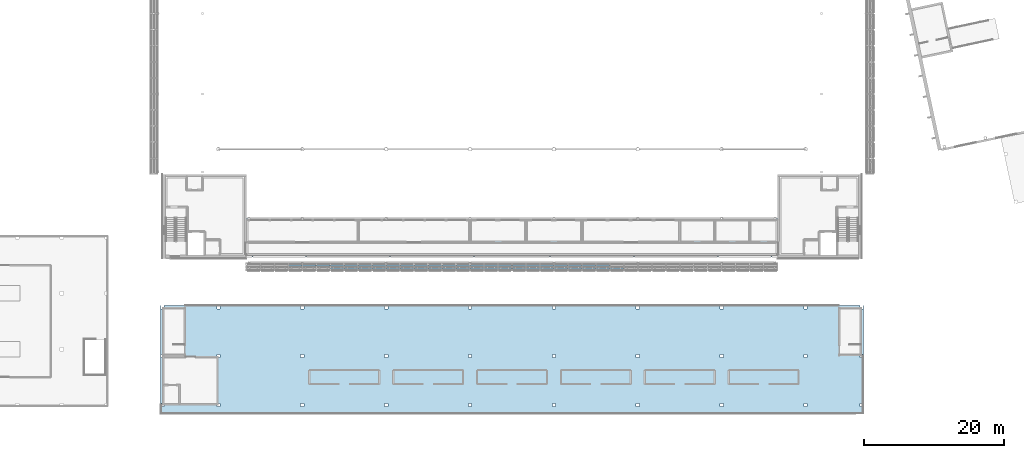
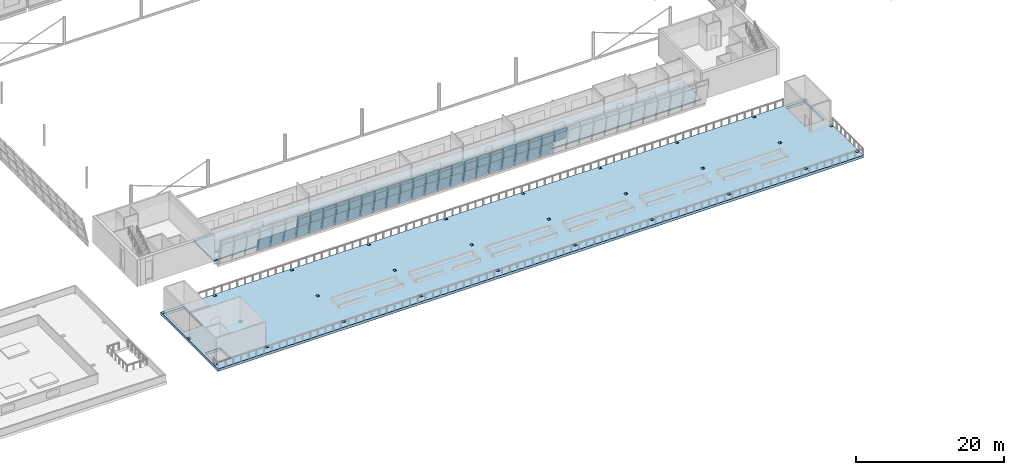
# One storey, part 38 of 95: 44 plates, 2 slabs, 2 elements without a shape of their own.
"""IFC4 building model written with IfcOpenShell, lengths in metres."""

from ifc_helpers import new_model, si_unit, direction, frame, origin, place, context, subcontext, project, spatial, polyline, outline, extrude, material, layer, layer_set, type_object, element, aggregate, save


model = new_model("IFC4")

# Units and contexts
model_context = context("Model", 3, precision=1e-05, world=origin(), true_north=direction((0.0, 1.0)))
body_context = subcontext(model_context, "Body", "Model", "MODEL_VIEW")
ifc_project = project(units=[si_unit("LENGTHUNIT", "METRE"), si_unit("AREAUNIT", "SQUARE_METRE"), si_unit("VOLUMEUNIT", "CUBIC_METRE"), si_unit("PLANEANGLEUNIT", "RADIAN"), si_unit("MASSUNIT", "GRAM", prefix="KILO")], contexts=[model_context])

# Site, building, storey
site_placement = place(None, origin())
site = spatial("IfcSite", under=ifc_project, at=site_placement, CompositionType="ELEMENT")
building_placement = place(site_placement, origin())
building = spatial("IfcBuilding", under=site, at=building_placement, Name="Windward Yard Aquatics Centre", CompositionType="ELEMENT")
storey_placement = place(building_placement, frame((0.0, 0.0, 9.39990234375)))
storey = spatial("IfcBuildingStorey", under=building, at=storey_placement, Name="L02", CompositionType="ELEMENT", Elevation=9.39990234375)

# Slabs
ifc_material_1 = material(Name="Bituminous waterproofing membrane with root barrier")
ifc_layer_1 = layer(ifc_material_1, 0.005, Name="Waterproofing")
ifc_material_2 = material(Name="Mineral wool insulation")
ifc_layer_2 = layer(ifc_material_2, 0.08, Name="Insulation")
ifc_material_3 = material(Name="Cement screed laid to falls")
ifc_layer_3 = layer(ifc_material_3, 0.04, Name="Falls")
ifc_material_4 = material(Name="Concrete C35/45", Category="concrete")
ifc_layer_4 = layer(ifc_material_4, 0.295, Name="Structure")
ifc_layer_set_1 = layer_set([ifc_layer_1, ifc_layer_2, ifc_layer_3, ifc_layer_4], Name="C roof slab 420")
slab_type_1 = type_object("IfcSlabType", Name="C roof slab 420", PredefinedType="ROOF", material=ifc_layer_set_1)
slab_1_placement = place(storey_placement, frame((0.0, 0.0, -0.419921875)))
element("IfcSlab", 1, at=slab_1_placement, inside=storey, type_object=slab_type_1, Name="C.S.L02", PredefinedType="ROOF", context=body_context, shape_type="SweptSolid", body=[
    extrude(outline(polyline([(51.72509765625, 3.800048828125), (152.27490234375, 3.800048828125), (152.27490234375, 19.27490234375), (51.72509765625, 19.27490234375), (51.72509765625, 3.800048828125)]), holes=[polyline([(51.77490234375, 4.77490234375), (51.77490234375, 5.22509765625), (52.14990234375, 5.22509765625), (52.14990234375, 7.949951171875), (54.550048828125, 7.949951171875), (54.550048828125, 5.14990234375), (52.22509765625, 5.14990234375), (52.22509765625, 4.77490234375), (51.77490234375, 4.77490234375)]), polyline([(95.77490234375, 4.77490234375), (95.77490234375, 5.22509765625), (96.22509765625, 5.22509765625), (96.22509765625, 4.77490234375), (95.77490234375, 4.77490234375)]), polyline([(59.77490234375, 4.77490234375), (59.77490234375, 5.22509765625), (60.22509765625, 5.22509765625), (60.22509765625, 4.77490234375), (59.77490234375, 4.77490234375)]), polyline([(71.77490234375, 4.77490234375), (71.77490234375, 5.22509765625), (72.22509765625, 5.22509765625), (72.22509765625, 4.77490234375), (71.77490234375, 4.77490234375)]), polyline([(83.77490234375, 4.77490234375), (83.77490234375, 5.22509765625), (84.22509765625, 5.22509765625), (84.22509765625, 4.77490234375), (83.77490234375, 4.77490234375)]), polyline([(95.77490234375, 11.77490234375), (95.77490234375, 12.22509765625), (96.22509765625, 12.22509765625), (96.22509765625, 11.77490234375), (95.77490234375, 11.77490234375)]), polyline([(59.77490234375, 11.77490234375), (59.77490234375, 12.22509765625), (60.22509765625, 12.22509765625), (60.22509765625, 11.77490234375), (59.77490234375, 11.77490234375)]), polyline([(51.77490234375, 11.77490234375), (51.77490234375, 12.22509765625), (52.22509765625, 12.22509765625), (52.22509765625, 11.77490234375), (51.77490234375, 11.77490234375)]), polyline([(71.77490234375, 11.77490234375), (71.77490234375, 12.22509765625), (72.22509765625, 12.22509765625), (72.22509765625, 11.77490234375), (71.77490234375, 11.77490234375)]), polyline([(83.77490234375, 11.77490234375), (83.77490234375, 12.22509765625), (84.22509765625, 12.22509765625), (84.22509765625, 11.77490234375), (83.77490234375, 11.77490234375)]), polyline([(51.77490234375, 18.77490234375), (51.77490234375, 19.22509765625), (52.22509765625, 19.22509765625), (52.22509765625, 18.800048828125), (55.10009765625, 18.800048828125), (55.10009765625, 13.7099609375), (52.14990234375, 13.7099609375), (52.14990234375, 18.77490234375), (51.77490234375, 18.77490234375)]), polyline([(71.77490234375, 18.77490234375), (71.77490234375, 19.22509765625), (72.22509765625, 19.22509765625), (72.22509765625, 18.77490234375), (71.77490234375, 18.77490234375)]), polyline([(95.77490234375, 18.77490234375), (95.77490234375, 19.22509765625), (96.22509765625, 19.22509765625), (96.22509765625, 18.77490234375), (95.77490234375, 18.77490234375)]), polyline([(83.77490234375, 18.77490234375), (83.77490234375, 19.22509765625), (84.22509765625, 19.22509765625), (84.22509765625, 18.77490234375), (83.77490234375, 18.77490234375)]), polyline([(59.77490234375, 18.77490234375), (59.77490234375, 19.22509765625), (60.22509765625, 19.22509765625), (60.22509765625, 18.77490234375), (59.77490234375, 18.77490234375)]), polyline([(107.77490234375, 4.77490234375), (107.77490234375, 5.22509765625), (108.22509765625, 5.22509765625), (108.22509765625, 4.77490234375), (107.77490234375, 4.77490234375)]), polyline([(119.77490234375, 4.77490234375), (119.77490234375, 5.22509765625), (120.22509765625, 5.22509765625), (120.22509765625, 4.77490234375), (119.77490234375, 4.77490234375)]), polyline([(131.77490234375, 4.77490234375), (131.77490234375, 5.22509765625), (132.22509765625, 5.22509765625), (132.22509765625, 4.77490234375), (131.77490234375, 4.77490234375)]), polyline([(143.77490234375, 4.77490234375), (143.77490234375, 5.22509765625), (144.22509765625, 5.22509765625), (144.22509765625, 4.77490234375), (143.77490234375, 4.77490234375)]), polyline([(151.77490234375, 4.77490234375), (151.77490234375, 5.22509765625), (152.22509765625, 5.22509765625), (152.22509765625, 4.77490234375), (151.77490234375, 4.77490234375)]), polyline([(107.77490234375, 11.77490234375), (107.77490234375, 12.22509765625), (108.22509765625, 12.22509765625), (108.22509765625, 11.77490234375), (107.77490234375, 11.77490234375)]), polyline([(119.77490234375, 11.77490234375), (119.77490234375, 12.22509765625), (120.22509765625, 12.22509765625), (120.22509765625, 11.77490234375), (119.77490234375, 11.77490234375)]), polyline([(131.77490234375, 11.77490234375), (131.77490234375, 12.22509765625), (132.22509765625, 12.22509765625), (132.22509765625, 11.77490234375), (131.77490234375, 11.77490234375)]), polyline([(143.77490234375, 11.77490234375), (143.77490234375, 12.22509765625), (144.22509765625, 12.22509765625), (144.22509765625, 11.77490234375), (143.77490234375, 11.77490234375)]), polyline([(151.77490234375, 11.77490234375), (151.77490234375, 12.22509765625), (152.22509765625, 12.22509765625), (152.22509765625, 11.77490234375), (151.77490234375, 11.77490234375)]), polyline([(148.89990234375, 13.7099609375), (148.89990234375, 18.800048828125), (151.77490234375, 18.800048828125), (151.77490234375, 19.22509765625), (152.22509765625, 19.22509765625), (152.22509765625, 18.77490234375), (151.85009765625, 18.77490234375), (151.85009765625, 13.7099609375), (148.89990234375, 13.7099609375)]), polyline([(107.77490234375, 18.77490234375), (107.77490234375, 19.22509765625), (108.22509765625, 19.22509765625), (108.22509765625, 18.77490234375), (107.77490234375, 18.77490234375)]), polyline([(119.77490234375, 18.77490234375), (119.77490234375, 19.22509765625), (120.22509765625, 19.22509765625), (120.22509765625, 18.77490234375), (119.77490234375, 18.77490234375)]), polyline([(131.77490234375, 18.77490234375), (131.77490234375, 19.22509765625), (132.22509765625, 19.22509765625), (132.22509765625, 18.77490234375), (131.77490234375, 18.77490234375)]), polyline([(143.77490234375, 18.77490234375), (143.77490234375, 19.22509765625), (144.22509765625, 19.22509765625), (144.22509765625, 18.77490234375), (143.77490234375, 18.77490234375)])]), origin(), (0.0, 0.0, 1.0), 0.419921875),
])
ifc_layer_5 = layer(ifc_material_4, 0.199951171875)
ifc_layer_set_2 = layer_set([ifc_layer_5], Name="H gallery slab 200 C35/45")
slab_type_2 = type_object("IfcSlabType", Name="H gallery slab 200 C35/45", PredefinedType="FLOOR", material=ifc_layer_set_2)
slab_2_placement = place(storey_placement, frame((0.0, 0.0, -0.199951171875)))
element("IfcSlab", 2, at=slab_2_placement, inside=storey, type_object=slab_type_2, Name="H.GA.S.1", PredefinedType="FLOOR", context=body_context, shape_type="SweptSolid", body=[
    extrude(outline(polyline([(64.0, 26.199951171875), (64.0, 31.709716796875), (64.222900390625, 31.709716796875), (64.222900390625, 31.58251953125), (64.47705078125, 31.58251953125), (64.47705078125, 31.709716796875), (71.873046875, 31.709716796875), (71.873046875, 31.58251953125), (72.126953125, 31.58251953125), (72.126953125, 31.709716796875), (83.873046875, 31.709716796875), (83.873046875, 31.58251953125), (84.126953125, 31.58251953125), (84.126953125, 31.709716796875), (95.873046875, 31.709716796875), (95.873046875, 31.58251953125), (96.126953125, 31.58251953125), (96.126953125, 31.709716796875), (107.873046875, 31.709716796875), (107.873046875, 31.58251953125), (108.126953125, 31.58251953125), (108.126953125, 31.709716796875), (119.873046875, 31.709716796875), (119.873046875, 31.58251953125), (120.126953125, 31.58251953125), (120.126953125, 31.709716796875), (131.873046875, 31.709716796875), (131.873046875, 31.58251953125), (132.126953125, 31.58251953125), (132.126953125, 31.709716796875), (139.52294921875, 31.709716796875), (139.52294921875, 31.58251953125), (139.777099609375, 31.58251953125), (139.777099609375, 31.709716796875), (140.0, 31.709716796875), (140.0, 26.199951171875), (64.0, 26.199951171875)])), origin(), (0.0, 0.0, 1.0), 0.199951171875),
])

# Curtain wall, plates
ifc_material_5 = material(Name="Glass and aluminium curtain wall", Category="aluminium")
ifc_layer_6 = layer(ifc_material_5, 0.179931640625)
ifc_layer_set_3 = layer_set([ifc_layer_6], Name="H curtain wall tier 1 double glazed 8+16+8")
curtain_wall_type = type_object("IfcCurtainWallType", Name="H curtain wall tier 1 double glazed 8+16+8", PredefinedType="NOTDEFINED", material=ifc_layer_set_3)
curtain_wall_1_placement = place(storey_placement, origin())
curtain_wall_1 = element("IfcCurtainWall", 3, at=curtain_wall_1_placement, inside=storey, type_object=curtain_wall_type, Name="Tier 1 glazing S L02", PredefinedType="NOTDEFINED")
ifc_material_6 = material(Name="Low-iron glass", Category="glass")
ifc_layer_7 = layer(ifc_material_6, 0.008, Name="Outer pane")
ifc_material_7 = material(Name="Argon-filled cavity")
ifc_layer_8 = layer(ifc_material_7, 0.016, Name="Cavity")
ifc_layer_9 = layer(ifc_material_6, 0.008, Name="Inner pane")
ifc_layer_set_4 = layer_set([ifc_layer_7, ifc_layer_8, ifc_layer_9], Name="H tier 1 glass low-e double glazed unit 32")
plate_type = type_object("IfcPlateType", Name="H tier 1 glass low-e double glazed unit 32", PredefinedType="CURTAIN_PANEL", material=ifc_layer_set_4)
plate_1_placement = place(storey_placement, frame((70.03173828125, 24.7900390625, 2.079345703125), z_axis=(0.0, 0.979933459069, 0.199324900092), x_axis=(0.0, 0.199324900092, -0.979933459069)))
plate_1 = element("IfcPlate", 4, at=plate_1_placement, type_object=plate_type, Name="G1SA panel 4.1", PredefinedType="CURTAIN_PANEL", context=body_context, shape_type="SweptSolid", body=[
    extrude(outline(polyline([(0.0, 0.0), (2.018532, 0.0), (2.018532, -1.934814), (0.0, -1.934814), (0.0, 0.0)])), origin(), (0.0, 0.0, -1.0), 0.031982421875),
])
plate_2_placement = place(storey_placement, frame((72.031494140625, 24.7900390625, 2.079345703125), z_axis=(0.0, 0.979933459069, 0.199324900092), x_axis=(0.0, 0.199324900092, -0.979933459069)))
plate_2 = element("IfcPlate", 5, at=plate_2_placement, type_object=plate_type, Name="G1SA panel 5.1", PredefinedType="CURTAIN_PANEL", context=body_context, shape_type="SweptSolid", body=[
    extrude(outline(polyline([(0.0, 0.0), (2.018532, 0.0), (2.018532, -1.93457), (0.0, -1.93457), (0.0, 0.0)])), origin(), (0.0, 0.0, -1.0), 0.031982421875),
])
plate_3_placement = place(storey_placement, frame((74.03125, 24.7900390625, 2.079345703125), z_axis=(0.0, 0.979933459069, 0.199324900092), x_axis=(0.0, 0.199324900092, -0.979933459069)))
plate_3 = element("IfcPlate", 6, at=plate_3_placement, type_object=plate_type, Name="G1SA panel 6.1", PredefinedType="CURTAIN_PANEL", context=body_context, shape_type="SweptSolid", body=[
    extrude(outline(polyline([(0.0, 0.0), (2.018532, 0.0), (2.018532, -1.93457), (0.0, -1.93457), (0.0, 0.0)])), origin(), (0.0, 0.0, -1.0), 0.031982421875),
])
plate_4_placement = place(storey_placement, frame((76.031005859375, 24.7900390625, 2.079345703125), z_axis=(0.0, 0.979933459069, 0.199324900092), x_axis=(0.0, 0.199324900092, -0.979933459069)))
plate_4 = element("IfcPlate", 7, at=plate_4_placement, type_object=plate_type, Name="G1SA panel 7.1", PredefinedType="CURTAIN_PANEL", context=body_context, shape_type="SweptSolid", body=[
    extrude(outline(polyline([(0.0, 0.0), (2.018532, 0.0), (2.018532, -1.93457), (0.0, -1.93457), (0.0, 0.0)])), origin(), (0.0, 0.0, -1.0), 0.031982421875),
])
plate_5_placement = place(storey_placement, frame((76.031005859375, 24.368896484375, 4.14892578125), z_axis=(0.0, 0.979926619255, 0.199358523457), x_axis=(0.0, 0.199358523457, -0.979926619255)))
plate_5 = element("IfcPlate", 8, at=plate_5_placement, type_object=plate_type, Name="G1SA panel 7.2", PredefinedType="CURTAIN_PANEL", context=body_context, shape_type="SweptSolid", body=[
    extrude(outline(polyline([(0.0, 0.0), (2.012069, 0.0), (2.012069, -1.93457), (0.0, -1.93457), (0.0, 0.0)])), origin(), (0.0, 0.0, -1.0), 0.031982421875),
])
plate_6_placement = place(storey_placement, frame((78.03076171875, 24.7900390625, 2.079345703125), z_axis=(0.0, 0.979933459069, 0.199324900092), x_axis=(0.0, 0.199324900092, -0.979933459069)))
plate_6 = element("IfcPlate", 9, at=plate_6_placement, type_object=plate_type, Name="G1SA panel 8.1", PredefinedType="CURTAIN_PANEL", context=body_context, shape_type="SweptSolid", body=[
    extrude(outline(polyline([(0.0, 0.0), (2.018532, 0.0), (2.018532, -1.93457), (0.0, -1.93457), (0.0, 0.0)])), origin(), (0.0, 0.0, -1.0), 0.031982421875),
])
plate_7_placement = place(storey_placement, frame((78.03076171875, 24.368896484375, 4.14892578125), z_axis=(0.0, 0.979926619255, 0.199358523457), x_axis=(0.0, 0.199358523457, -0.979926619255)))
plate_7 = element("IfcPlate", 10, at=plate_7_placement, type_object=plate_type, Name="G1SA panel 8.2", PredefinedType="CURTAIN_PANEL", context=body_context, shape_type="SweptSolid", body=[
    extrude(outline(polyline([(0.0, 0.0), (2.012069, 0.0), (2.012069, -1.93457), (0.0, -1.93457), (0.0, 0.0)])), origin(), (0.0, 0.0, -1.0), 0.031982421875),
])
plate_8_placement = place(storey_placement, frame((80.0302734375, 24.7900390625, 2.079345703125), z_axis=(0.0, 0.979933459069, 0.199324900092), x_axis=(0.0, 0.199324900092, -0.979933459069)))
plate_8 = element("IfcPlate", 11, at=plate_8_placement, type_object=plate_type, Name="G1SA panel 9.1", PredefinedType="CURTAIN_PANEL", context=body_context, shape_type="SweptSolid", body=[
    extrude(outline(polyline([(0.0, 0.0), (2.018532, 0.0), (2.018532, -1.934814), (0.0, -1.934814), (0.0, 0.0)])), origin(), (0.0, 0.0, -1.0), 0.031982421875),
])
plate_9_placement = place(storey_placement, frame((80.0302734375, 24.368896484375, 4.14892578125), z_axis=(0.0, 0.979926619255, 0.199358523457), x_axis=(0.0, 0.199358523457, -0.979926619255)))
plate_9 = element("IfcPlate", 12, at=plate_9_placement, type_object=plate_type, Name="G1SA panel 9.2", PredefinedType="CURTAIN_PANEL", context=body_context, shape_type="SweptSolid", body=[
    extrude(outline(polyline([(0.0, 0.0), (2.012069, 0.0), (2.012069, -1.934814), (0.0, -1.934814), (0.0, 0.0)])), origin(), (0.0, 0.0, -1.0), 0.031982421875),
])
plate_10_placement = place(storey_placement, frame((82.030029296875, 24.7900390625, 2.079345703125), z_axis=(0.0, 0.979933459069, 0.199324900092), x_axis=(0.0, 0.199324900092, -0.979933459069)))
plate_10 = element("IfcPlate", 13, at=plate_10_placement, type_object=plate_type, Name="G1SA panel 10.1", PredefinedType="CURTAIN_PANEL", context=body_context, shape_type="SweptSolid", body=[
    extrude(outline(polyline([(0.0, 0.0), (2.018532, 0.0), (2.018532, -1.934814), (0.0, -1.934814), (0.0, 0.0)])), origin(), (0.0, 0.0, -1.0), 0.031982421875),
])
plate_11_placement = place(storey_placement, frame((82.030029296875, 24.368896484375, 4.14892578125), z_axis=(0.0, 0.979926619255, 0.199358523457), x_axis=(0.0, 0.199358523457, -0.979926619255)))
plate_11 = element("IfcPlate", 14, at=plate_11_placement, type_object=plate_type, Name="G1SA panel 10.2", PredefinedType="CURTAIN_PANEL", context=body_context, shape_type="SweptSolid", body=[
    extrude(outline(polyline([(0.0, 0.0), (2.012069, 0.0), (2.012069, -1.934814), (0.0, -1.934814), (0.0, 0.0)])), origin(), (0.0, 0.0, -1.0), 0.031982421875),
])
plate_12_placement = place(storey_placement, frame((84.02978515625, 24.7900390625, 2.079345703125), z_axis=(0.0, 0.979933459069, 0.199324900092), x_axis=(0.0, 0.199324900092, -0.979933459069)))
plate_12 = element("IfcPlate", 15, at=plate_12_placement, type_object=plate_type, Name="G1SA panel 11.1", PredefinedType="CURTAIN_PANEL", context=body_context, shape_type="SweptSolid", body=[
    extrude(outline(polyline([(0.0, 0.0), (2.018532, 0.0), (2.018532, -1.934814), (0.0, -1.934814), (0.0, 0.0)])), origin(), (0.0, 0.0, -1.0), 0.031982421875),
])
plate_13_placement = place(storey_placement, frame((84.02978515625, 24.368896484375, 4.14892578125), z_axis=(0.0, 0.979926619255, 0.199358523457), x_axis=(0.0, 0.199358523457, -0.979926619255)))
plate_13 = element("IfcPlate", 16, at=plate_13_placement, type_object=plate_type, Name="G1SA panel 11.2", PredefinedType="CURTAIN_PANEL", context=body_context, shape_type="SweptSolid", body=[
    extrude(outline(polyline([(0.0, 0.0), (2.012069, 0.0), (2.012069, -1.934814), (0.0, -1.934814), (0.0, 0.0)])), origin(), (0.0, 0.0, -1.0), 0.031982421875),
])
plate_14_placement = place(storey_placement, frame((86.029541015625, 24.7900390625, 2.079345703125), z_axis=(0.0, 0.979933459069, 0.199324900092), x_axis=(0.0, 0.199324900092, -0.979933459069)))
plate_14 = element("IfcPlate", 17, at=plate_14_placement, type_object=plate_type, Name="G1SA panel 12.1", PredefinedType="CURTAIN_PANEL", context=body_context, shape_type="SweptSolid", body=[
    extrude(outline(polyline([(0.0, 0.0), (2.018532, 0.0), (2.018532, -1.934814), (0.0, -1.934814), (0.0, 0.0)])), origin(), (0.0, 0.0, -1.0), 0.031982421875),
])
plate_15_placement = place(storey_placement, frame((86.029541015625, 24.368896484375, 4.14892578125), z_axis=(0.0, 0.979926619255, 0.199358523457), x_axis=(0.0, 0.199358523457, -0.979926619255)))
plate_15 = element("IfcPlate", 18, at=plate_15_placement, type_object=plate_type, Name="G1SA panel 12.2", PredefinedType="CURTAIN_PANEL", context=body_context, shape_type="SweptSolid", body=[
    extrude(outline(polyline([(0.0, 0.0), (2.012069, 0.0), (2.012069, -1.934814), (0.0, -1.934814), (0.0, 0.0)])), origin(), (0.0, 0.0, -1.0), 0.031982421875),
])
plate_16_placement = place(storey_placement, frame((88.029296875, 24.7900390625, 2.079345703125), z_axis=(0.0, 0.979933459069, 0.199324900092), x_axis=(0.0, 0.199324900092, -0.979933459069)))
plate_16 = element("IfcPlate", 19, at=plate_16_placement, type_object=plate_type, Name="G1SA panel 13.1", PredefinedType="CURTAIN_PANEL", context=body_context, shape_type="SweptSolid", body=[
    extrude(outline(polyline([(0.0, 0.0), (2.018532, 0.0), (2.018532, -1.934814), (0.0, -1.934814), (0.0, 0.0)])), origin(), (0.0, 0.0, -1.0), 0.031982421875),
])
plate_17_placement = place(storey_placement, frame((88.029296875, 24.368896484375, 4.14892578125), z_axis=(0.0, 0.979926619255, 0.199358523457), x_axis=(0.0, 0.199358523457, -0.979926619255)))
plate_17 = element("IfcPlate", 20, at=plate_17_placement, type_object=plate_type, Name="G1SA panel 13.2", PredefinedType="CURTAIN_PANEL", context=body_context, shape_type="SweptSolid", body=[
    extrude(outline(polyline([(0.0, 0.0), (2.012069, 0.0), (2.012069, -1.934814), (0.0, -1.934814), (0.0, 0.0)])), origin(), (0.0, 0.0, -1.0), 0.031982421875),
])
plate_18_placement = place(storey_placement, frame((90.029052734375, 24.7900390625, 2.079345703125), z_axis=(0.0, 0.979933459069, 0.199324900092), x_axis=(0.0, 0.199324900092, -0.979933459069)))
plate_18 = element("IfcPlate", 21, at=plate_18_placement, type_object=plate_type, Name="G1SA panel 14.1", PredefinedType="CURTAIN_PANEL", context=body_context, shape_type="SweptSolid", body=[
    extrude(outline(polyline([(0.0, 0.0), (2.018532, 0.0), (2.018532, -1.934814), (0.0, -1.934814), (0.0, 0.0)])), origin(), (0.0, 0.0, -1.0), 0.031982421875),
])
plate_19_placement = place(storey_placement, frame((90.029052734375, 24.368896484375, 4.14892578125), z_axis=(0.0, 0.979926619255, 0.199358523457), x_axis=(0.0, 0.199358523457, -0.979926619255)))
plate_19 = element("IfcPlate", 22, at=plate_19_placement, type_object=plate_type, Name="G1SA panel 14.2", PredefinedType="CURTAIN_PANEL", context=body_context, shape_type="SweptSolid", body=[
    extrude(outline(polyline([(0.0, 0.0), (2.012069, 0.0), (2.012069, -1.934814), (0.0, -1.934814), (0.0, 0.0)])), origin(), (0.0, 0.0, -1.0), 0.031982421875),
])
plate_20_placement = place(storey_placement, frame((92.02880859375, 24.7900390625, 2.079345703125), z_axis=(0.0, 0.979933459069, 0.199324900092), x_axis=(0.0, 0.199324900092, -0.979933459069)))
plate_20 = element("IfcPlate", 23, at=plate_20_placement, type_object=plate_type, Name="G1SA panel 15.1", PredefinedType="CURTAIN_PANEL", context=body_context, shape_type="SweptSolid", body=[
    extrude(outline(polyline([(0.0, 0.0), (2.018532, 0.0), (2.018532, -1.934814), (0.0, -1.934814), (0.0, 0.0)])), origin(), (0.0, 0.0, -1.0), 0.031982421875),
])
plate_21_placement = place(storey_placement, frame((92.02880859375, 24.368896484375, 4.14892578125), z_axis=(0.0, 0.979926619255, 0.199358523457), x_axis=(0.0, 0.199358523457, -0.979926619255)))
plate_21 = element("IfcPlate", 24, at=plate_21_placement, type_object=plate_type, Name="G1SA panel 15.2", PredefinedType="CURTAIN_PANEL", context=body_context, shape_type="SweptSolid", body=[
    extrude(outline(polyline([(0.0, 0.0), (2.012069, 0.0), (2.012069, -1.934814), (0.0, -1.934814), (0.0, 0.0)])), origin(), (0.0, 0.0, -1.0), 0.031982421875),
])
plate_22_placement = place(storey_placement, frame((94.028564453125, 24.7900390625, 2.079345703125), z_axis=(0.0, 0.979933459069, 0.199324900092), x_axis=(0.0, 0.199324900092, -0.979933459069)))
plate_22 = element("IfcPlate", 25, at=plate_22_placement, type_object=plate_type, Name="G1SA panel 16.1", PredefinedType="CURTAIN_PANEL", context=body_context, shape_type="SweptSolid", body=[
    extrude(outline(polyline([(0.0, 0.0), (2.018532, 0.0), (2.018532, -1.934814), (0.0, -1.934814), (0.0, 0.0)])), origin(), (0.0, 0.0, -1.0), 0.031982421875),
])
plate_23_placement = place(storey_placement, frame((94.028564453125, 24.368896484375, 4.14892578125), z_axis=(0.0, 0.979926619255, 0.199358523457), x_axis=(0.0, 0.199358523457, -0.979926619255)))
plate_23 = element("IfcPlate", 26, at=plate_23_placement, type_object=plate_type, Name="G1SA panel 16.2", PredefinedType="CURTAIN_PANEL", context=body_context, shape_type="SweptSolid", body=[
    extrude(outline(polyline([(0.0, 0.0), (2.012069, 0.0), (2.012069, -1.934814), (0.0, -1.934814), (0.0, 0.0)])), origin(), (0.0, 0.0, -1.0), 0.031982421875),
])
plate_24_placement = place(storey_placement, frame((96.0283203125, 24.7900390625, 2.079345703125), z_axis=(0.0, 0.979933459069, 0.199324900092), x_axis=(0.0, 0.199324900092, -0.979933459069)))
plate_24 = element("IfcPlate", 27, at=plate_24_placement, type_object=plate_type, Name="G1SA panel 17.1", PredefinedType="CURTAIN_PANEL", context=body_context, shape_type="SweptSolid", body=[
    extrude(outline(polyline([(0.0, 0.0), (2.018532, 0.0), (2.018532, -1.934814), (0.0, -1.934814), (0.0, 0.0)])), origin(), (0.0, 0.0, -1.0), 0.031982421875),
])
plate_25_placement = place(storey_placement, frame((96.0283203125, 24.368896484375, 4.14892578125), z_axis=(0.0, 0.979926619255, 0.199358523457), x_axis=(0.0, 0.199358523457, -0.979926619255)))
plate_25 = element("IfcPlate", 28, at=plate_25_placement, type_object=plate_type, Name="G1SA panel 17.2", PredefinedType="CURTAIN_PANEL", context=body_context, shape_type="SweptSolid", body=[
    extrude(outline(polyline([(0.0, 0.0), (2.012069, 0.0), (2.012069, -1.934814), (0.0, -1.934814), (0.0, 0.0)])), origin(), (0.0, 0.0, -1.0), 0.031982421875),
])
plate_26_placement = place(storey_placement, frame((98.028076171875, 24.7900390625, 2.079345703125), z_axis=(0.0, 0.979933459069, 0.199324900092), x_axis=(0.0, 0.199324900092, -0.979933459069)))
plate_26 = element("IfcPlate", 29, at=plate_26_placement, type_object=plate_type, Name="G1SA panel 18.1", PredefinedType="CURTAIN_PANEL", context=body_context, shape_type="SweptSolid", body=[
    extrude(outline(polyline([(0.0, 0.0), (2.018532, 0.0), (2.018532, -1.93457), (0.0, -1.93457), (0.0, 0.0)])), origin(), (0.0, 0.0, -1.0), 0.031982421875),
])
plate_27_placement = place(storey_placement, frame((98.028076171875, 24.368896484375, 4.14892578125), z_axis=(0.0, 0.979926619255, 0.199358523457), x_axis=(0.0, 0.199358523457, -0.979926619255)))
plate_27 = element("IfcPlate", 30, at=plate_27_placement, type_object=plate_type, Name="G1SA panel 18.2", PredefinedType="CURTAIN_PANEL", context=body_context, shape_type="SweptSolid", body=[
    extrude(outline(polyline([(0.0, 0.0), (2.012069, 0.0), (2.012069, -1.93457), (0.0, -1.93457), (0.0, 0.0)])), origin(), (0.0, 0.0, -1.0), 0.031982421875),
])
plate_28_placement = place(storey_placement, frame((100.02783203125, 24.7900390625, 2.079345703125), z_axis=(0.0, 0.979933459069, 0.199324900092), x_axis=(0.0, 0.199324900092, -0.979933459069)))
plate_28 = element("IfcPlate", 31, at=plate_28_placement, type_object=plate_type, Name="G1SA panel 19.1", PredefinedType="CURTAIN_PANEL", context=body_context, shape_type="SweptSolid", body=[
    extrude(outline(polyline([(0.0, 0.0), (2.018532, 0.0), (2.018532, -1.9021), (0.0, -1.9021), (0.0, 0.0)])), origin(), (0.0, 0.0, -1.0), 0.031982421875),
])
plate_29_placement = place(storey_placement, frame((100.02783203125, 24.368896484375, 4.14892578125), z_axis=(0.0, 0.979926619255, 0.199358523457), x_axis=(0.0, 0.199358523457, -0.979926619255)))
plate_29 = element("IfcPlate", 32, at=plate_29_placement, type_object=plate_type, Name="G1SA panel 19.2", PredefinedType="CURTAIN_PANEL", context=body_context, shape_type="SweptSolid", body=[
    extrude(outline(polyline([(0.0, 0.0), (2.012069, 0.0), (2.012069, -1.9021), (0.0, -1.9021), (0.0, 0.0)])), origin(), (0.0, 0.0, -1.0), 0.031982421875),
])
aggregate(curtain_wall_1, [plate_1, plate_2, plate_3, plate_4, plate_5, plate_6, plate_7, plate_8, plate_9, plate_10, plate_11, plate_12, plate_13, plate_14, plate_15, plate_16, plate_17, plate_18, plate_19, plate_20, plate_21, plate_22, plate_23, plate_24, plate_25, plate_26, plate_27, plate_28, plate_29])

curtain_wall_2_placement = place(storey_placement, origin())
curtain_wall_2 = element("IfcCurtainWall", 33, at=curtain_wall_2_placement, inside=storey, type_object=curtain_wall_type, Name="Tier 1 glazing S L02", PredefinedType="NOTDEFINED")
plate_30_placement = place(storey_placement, frame((102.070068359375, 24.7900390625, 2.079345703125), z_axis=(0.0, 0.979933459069, 0.199324900092), x_axis=(0.0, 0.199324900092, -0.979933459069)))
plate_30 = element("IfcPlate", 34, at=plate_30_placement, type_object=plate_type, Name="G1SB panel 1.1", PredefinedType="CURTAIN_PANEL", context=body_context, shape_type="SweptSolid", body=[
    extrude(outline(polyline([(0.0, 0.0), (2.018532, 0.0), (2.018532, -1.9021), (0.0, -1.9021), (0.0, 0.0)])), origin(), (0.0, 0.0, -1.0), 0.031982421875),
])
plate_31_placement = place(storey_placement, frame((102.070068359375, 24.368896484375, 4.14892578125), z_axis=(0.0, 0.979926619255, 0.199358523457), x_axis=(0.0, 0.199358523457, -0.979926619255)))
plate_31 = element("IfcPlate", 35, at=plate_31_placement, type_object=plate_type, Name="G1SB panel 1.2", PredefinedType="CURTAIN_PANEL", context=body_context, shape_type="SweptSolid", body=[
    extrude(outline(polyline([(0.0, 0.0), (2.012069, 0.0), (2.012069, -1.9021), (0.0, -1.9021), (0.0, 0.0)])), origin(), (0.0, 0.0, -1.0), 0.031982421875),
])
plate_32_placement = place(storey_placement, frame((104.037353515625, 24.7900390625, 2.079345703125), z_axis=(0.0, 0.979933459069, 0.199324900092), x_axis=(0.0, 0.199324900092, -0.979933459069)))
plate_32 = element("IfcPlate", 36, at=plate_32_placement, type_object=plate_type, Name="G1SB panel 2.1", PredefinedType="CURTAIN_PANEL", context=body_context, shape_type="SweptSolid", body=[
    extrude(outline(polyline([(0.0, 0.0), (2.018532, 0.0), (2.018532, -1.93457), (0.0, -1.93457), (0.0, 0.0)])), origin(), (0.0, 0.0, -1.0), 0.031982421875),
])
plate_33_placement = place(storey_placement, frame((104.037353515625, 24.368896484375, 4.14892578125), z_axis=(0.0, 0.979926619255, 0.199358523457), x_axis=(0.0, 0.199358523457, -0.979926619255)))
plate_33 = element("IfcPlate", 37, at=plate_33_placement, type_object=plate_type, Name="G1SB panel 2.2", PredefinedType="CURTAIN_PANEL", context=body_context, shape_type="SweptSolid", body=[
    extrude(outline(polyline([(0.0, 0.0), (2.012069, 0.0), (2.012069, -1.93457), (0.0, -1.93457), (0.0, 0.0)])), origin(), (0.0, 0.0, -1.0), 0.031982421875),
])
plate_34_placement = place(storey_placement, frame((106.036865234375, 24.7900390625, 2.079345703125), z_axis=(0.0, 0.979933459069, 0.199324900092), x_axis=(0.0, 0.199324900092, -0.979933459069)))
plate_34 = element("IfcPlate", 38, at=plate_34_placement, type_object=plate_type, Name="G1SB panel 3.1", PredefinedType="CURTAIN_PANEL", context=body_context, shape_type="SweptSolid", body=[
    extrude(outline(polyline([(0.0, 0.0), (2.018532, 0.0), (2.018532, -1.934814), (0.0, -1.934814), (0.0, 0.0)])), origin(), (0.0, 0.0, -1.0), 0.031982421875),
])
plate_35_placement = place(storey_placement, frame((106.036865234375, 24.368896484375, 4.14892578125), z_axis=(0.0, 0.979926619255, 0.199358523457), x_axis=(0.0, 0.199358523457, -0.979926619255)))
plate_35 = element("IfcPlate", 39, at=plate_35_placement, type_object=plate_type, Name="G1SB panel 3.2", PredefinedType="CURTAIN_PANEL", context=body_context, shape_type="SweptSolid", body=[
    extrude(outline(polyline([(0.0, 0.0), (2.012069, 0.0), (2.012069, -1.934814), (0.0, -1.934814), (0.0, 0.0)])), origin(), (0.0, 0.0, -1.0), 0.031982421875),
])
plate_36_placement = place(storey_placement, frame((108.03662109375, 24.7900390625, 2.079345703125), z_axis=(0.0, 0.979933459069, 0.199324900092), x_axis=(0.0, 0.199324900092, -0.979933459069)))
plate_36 = element("IfcPlate", 40, at=plate_36_placement, type_object=plate_type, Name="G1SB panel 4.1", PredefinedType="CURTAIN_PANEL", context=body_context, shape_type="SweptSolid", body=[
    extrude(outline(polyline([(0.0, 0.0), (2.018532, 0.0), (2.018532, -1.934814), (0.0, -1.934814), (0.0, 0.0)])), origin(), (0.0, 0.0, -1.0), 0.031982421875),
])
plate_37_placement = place(storey_placement, frame((108.03662109375, 24.368896484375, 4.14892578125), z_axis=(0.0, 0.979926619255, 0.199358523457), x_axis=(0.0, 0.199358523457, -0.979926619255)))
plate_37 = element("IfcPlate", 41, at=plate_37_placement, type_object=plate_type, Name="G1SB panel 4.2", PredefinedType="CURTAIN_PANEL", context=body_context, shape_type="SweptSolid", body=[
    extrude(outline(polyline([(0.0, 0.0), (2.012069, 0.0), (2.012069, -1.934814), (0.0, -1.934814), (0.0, 0.0)])), origin(), (0.0, 0.0, -1.0), 0.031982421875),
])
plate_38_placement = place(storey_placement, frame((110.036376953125, 24.7900390625, 2.079345703125), z_axis=(0.0, 0.979933459069, 0.199324900092), x_axis=(0.0, 0.199324900092, -0.979933459069)))
plate_38 = element("IfcPlate", 42, at=plate_38_placement, type_object=plate_type, Name="G1SB panel 5.1", PredefinedType="CURTAIN_PANEL", context=body_context, shape_type="SweptSolid", body=[
    extrude(outline(polyline([(0.0, 0.0), (2.018532, 0.0), (2.018532, -1.934814), (0.0, -1.934814), (0.0, 0.0)])), origin(), (0.0, 0.0, -1.0), 0.031982421875),
])
plate_39_placement = place(storey_placement, frame((110.036376953125, 24.368896484375, 4.14892578125), z_axis=(0.0, 0.979926619255, 0.199358523457), x_axis=(0.0, 0.199358523457, -0.979926619255)))
plate_39 = element("IfcPlate", 43, at=plate_39_placement, type_object=plate_type, Name="G1SB panel 5.2", PredefinedType="CURTAIN_PANEL", context=body_context, shape_type="SweptSolid", body=[
    extrude(outline(polyline([(0.0, 0.0), (2.012069, 0.0), (2.012069, -1.934814), (0.0, -1.934814), (0.0, 0.0)])), origin(), (0.0, 0.0, -1.0), 0.031982421875),
])
plate_40_placement = place(storey_placement, frame((112.0361328125, 24.7900390625, 2.079345703125), z_axis=(0.0, 0.979933459069, 0.199324900092), x_axis=(0.0, 0.199324900092, -0.979933459069)))
plate_40 = element("IfcPlate", 44, at=plate_40_placement, type_object=plate_type, Name="G1SB panel 6.1", PredefinedType="CURTAIN_PANEL", context=body_context, shape_type="SweptSolid", body=[
    extrude(outline(polyline([(0.0, 0.0), (2.018532, 0.0), (2.018532, -1.934814), (0.0, -1.934814), (0.0, 0.0)])), origin(), (0.0, 0.0, -1.0), 0.031982421875),
])
plate_41_placement = place(storey_placement, frame((112.0361328125, 24.368896484375, 4.14892578125), z_axis=(0.0, 0.979926619255, 0.199358523457), x_axis=(0.0, 0.199358523457, -0.979926619255)))
plate_41 = element("IfcPlate", 45, at=plate_41_placement, type_object=plate_type, Name="G1SB panel 6.2", PredefinedType="CURTAIN_PANEL", context=body_context, shape_type="SweptSolid", body=[
    extrude(outline(polyline([(0.0, 0.0), (2.012069, 0.0), (2.012069, -1.934814), (0.0, -1.934814), (0.0, 0.0)])), origin(), (0.0, 0.0, -1.0), 0.031982421875),
])
plate_42_placement = place(storey_placement, frame((114.035888671875, 24.7900390625, 2.079345703125), z_axis=(0.0, 0.979933459069, 0.199324900092), x_axis=(0.0, 0.199324900092, -0.979933459069)))
plate_42 = element("IfcPlate", 46, at=plate_42_placement, type_object=plate_type, Name="G1SB panel 7.1", PredefinedType="CURTAIN_PANEL", context=body_context, shape_type="SweptSolid", body=[
    extrude(outline(polyline([(0.0, 0.0), (2.018532, 0.0), (2.018532, -1.934814), (0.0, -1.934814), (0.0, 0.0)])), origin(), (0.0, 0.0, -1.0), 0.031982421875),
])
plate_43_placement = place(storey_placement, frame((114.035888671875, 24.368896484375, 4.14892578125), z_axis=(0.0, 0.979926619255, 0.199358523457), x_axis=(0.0, 0.199358523457, -0.979926619255)))
plate_43 = element("IfcPlate", 47, at=plate_43_placement, type_object=plate_type, Name="G1SB panel 7.2", PredefinedType="CURTAIN_PANEL", context=body_context, shape_type="SweptSolid", body=[
    extrude(outline(polyline([(0.0, 0.0), (2.012069, 0.0), (2.012069, -1.934814), (0.0, -1.934814), (0.0, 0.0)])), origin(), (0.0, 0.0, -1.0), 0.031982421875),
])
plate_44_placement = place(storey_placement, frame((116.03564453125, 24.368896484375, 4.14892578125), z_axis=(0.0, 0.979926619255, 0.199358523457), x_axis=(0.0, 0.199358523457, -0.979926619255)))
plate_44 = element("IfcPlate", 48, at=plate_44_placement, type_object=plate_type, Name="G1SB panel 8.2", PredefinedType="CURTAIN_PANEL", context=body_context, shape_type="SweptSolid", body=[
    extrude(outline(polyline([(0.0, 0.0), (2.012069, 0.0), (2.012069, -1.934814), (0.0, -1.934814), (0.0, 0.0)])), origin(), (0.0, 0.0, -1.0), 0.031982421875),
])
aggregate(curtain_wall_2, [plate_30, plate_31, plate_32, plate_33, plate_34, plate_35, plate_36, plate_37, plate_38, plate_39, plate_40, plate_41, plate_42, plate_43, plate_44])

save(model, "model.ifc")
